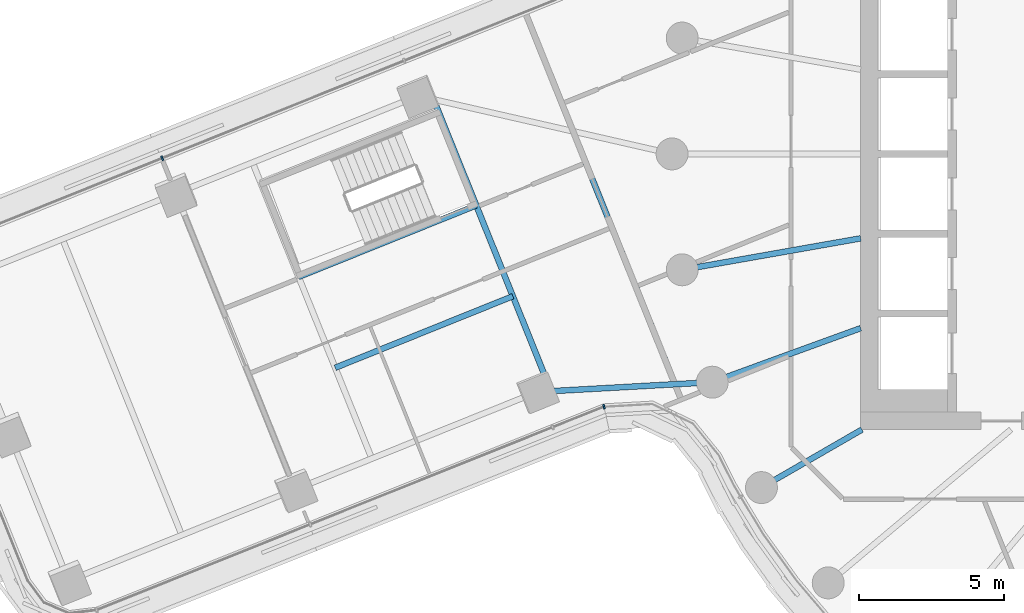
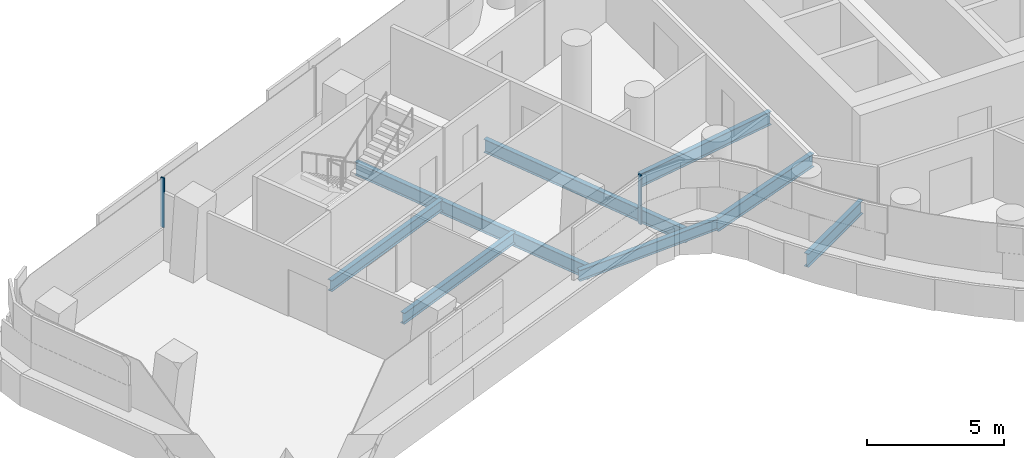
# One storey, part 5 of 32: 8 beams, 2 members, 2 elements without a shape of their own.
"""IFC4 building model written with IfcOpenShell, lengths in metres."""

from ifc_helpers import new_model, si_unit, direction, frame, origin, origin_2d, place, context, subcontext, project, spatial, rectangle, i_section, extrude, material, layer, layer_set, material_profile, profile_set, type_object, element, aggregate, save


model = new_model("IFC4")

# Units and contexts
model_context = context("Model", 3, precision=1e-05, world=origin(), true_north=direction((0.0, 1.0)))
body_context = subcontext(model_context, "Body", "Model", "MODEL_VIEW")
ifc_project = project(units=[si_unit("LENGTHUNIT", "METRE"), si_unit("AREAUNIT", "SQUARE_METRE"), si_unit("VOLUMEUNIT", "CUBIC_METRE"), si_unit("PLANEANGLEUNIT", "RADIAN"), si_unit("MASSUNIT", "GRAM", prefix="KILO")], contexts=[model_context])

# Site, building, storey
site_placement = place(None, origin())
site = spatial("IfcSite", under=ifc_project, at=site_placement, CompositionType="ELEMENT")
building_placement = place(site_placement, origin())
building = spatial("IfcBuilding", under=site, at=building_placement, Name="Tamarind Cross Interchange Tower", CompositionType="ELEMENT")
storey_placement = place(building_placement, frame((0.0, 0.0, 113.5)))
storey = spatial("IfcBuildingStorey", under=building, at=storey_placement, Name="L27", CompositionType="ELEMENT", Elevation=113.5)

# Beams
ifc_material_1 = material(Name="Steel Q355B", Category="steel")
ifc_material_profile_1 = material_profile(ifc_material_1, i_section(OverallWidth=0.198974609375, OverallDepth=0.49609375, WebThickness=0.009033203125, FlangeThickness=0.013916015625, FilletRadius=0.012939453125, at=origin_2d()), Name="HN 496x199x9x14")
ifc_profile_set_1 = profile_set([ifc_material_profile_1], Name="Steel Q355B")
beam_type_1 = type_object("IfcBeamType", Name="Composite beam HN 496x199x9x14 Q355B", PredefinedType="BEAM", material=ifc_profile_set_1)
beam_1_placement = place(storey_placement, frame((-27.643798828125, -8.202880859375, -0.387939453125), z_axis=(0.998447641525, 0.055698358433, 0.0), x_axis=(-0.055698358433, 0.998447641525, 0.0)))
element("IfcBeam", 1, at=beam_1_placement, inside=storey, type_object=beam_type_1, Name="Beam W-linkep", PredefinedType="BEAM", context=body_context, shape_type="SweptSolid", body=[
    extrude(i_section(OverallWidth=0.198974609375, OverallDepth=0.49609375, WebThickness=0.009033203125, FlangeThickness=0.013916015625, FilletRadius=0.012939453125, at=origin_2d()), origin(), (0.0, 0.0, 1.0), 6.0400390625),
])
beam_2_placement = place(storey_placement, frame((-29.74853515625, -1.773681640625, -0.387939453125), z_axis=(-0.927568270021, -0.373653722651, 0.0), x_axis=(0.373653722651, -0.927568270021, 0.0)))
element("IfcBeam", 2, at=beam_2_placement, inside=storey, type_object=beam_type_1, Name="Beam W-tr1", PredefinedType="BEAM", context=body_context, shape_type="SweptSolid", body=[
    extrude(i_section(OverallWidth=0.198974609375, OverallDepth=0.49609375, WebThickness=0.009033203125, FlangeThickness=0.013916015625, FilletRadius=0.012939453125, at=origin_2d()), origin(), (0.0, 0.0, 1.0), 6.599853515625),
])
beam_3_placement = place(storey_placement, frame((-28.4873046875, -4.904296875, -0.387939453125), z_axis=(-0.927573434437, -0.373640902107, 0.0), x_axis=(0.373640902107, -0.927573434437, 0.0)))
element("IfcBeam", 3, at=beam_3_placement, inside=storey, type_object=beam_type_1, Name="Beam W-stripp", PredefinedType="BEAM", context=body_context, shape_type="SweptSolid", body=[
    extrude(i_section(OverallWidth=0.198974609375, OverallDepth=0.49609375, WebThickness=0.009033203125, FlangeThickness=0.013916015625, FilletRadius=0.012939453125, at=origin_2d()), origin(), (0.0, 0.0, 1.0), 6.60009765625),
])
ifc_material_profile_2 = material_profile(ifc_material_1, i_section(OverallWidth=0.198974609375, OverallDepth=0.595947265625, WebThickness=0.010009765625, FlangeThickness=0.014892578125, FilletRadius=0.012939453125, at=origin_2d()), Name="HN 596x199x10x15")
ifc_profile_set_2 = profile_set([ifc_material_profile_2], Name="Steel Q355B")
beam_type_2 = type_object("IfcBeamType", Name="Composite beam HN 596x199x10x15 Q355B", PredefinedType="BEAM", material=ifc_profile_set_2)
beam_4_placement = place(storey_placement, frame((-22.650634765625, -3.993896484375, -0.43798828125), z_axis=(0.984809127561, 0.173640382036, 0.0), x_axis=(-0.173640382036, 0.984809127561, 0.0)))
element("IfcBeam", 4, at=beam_4_placement, inside=storey, type_object=beam_type_2, Name="Beam HH19", PredefinedType="BEAM", context=body_context, shape_type="SweptSolid", body=[
    extrude(i_section(OverallWidth=0.198974609375, OverallDepth=0.595947265625, WebThickness=0.010009765625, FlangeThickness=0.014892578125, FilletRadius=0.012939453125, at=origin_2d()), origin(), (0.0, 0.0, 1.0), 6.24560546875),
])
beam_5_placement = place(storey_placement, frame((-21.613037109375, -7.866455078125, -0.43798828125), z_axis=(0.939701685589, 0.341995236956, 0.0), x_axis=(-0.341995236956, 0.939701685589, 0.0)))
element("IfcBeam", 5, at=beam_5_placement, inside=storey, type_object=beam_type_2, Name="Beam HH20", PredefinedType="BEAM", context=body_context, shape_type="SweptSolid", body=[
    extrude(i_section(OverallWidth=0.198974609375, OverallDepth=0.595947265625, WebThickness=0.010009765625, FlangeThickness=0.014892578125, FilletRadius=0.012939453125, at=origin_2d()), origin(), (0.0, 0.0, 1.0), 5.441162109375),
])
beam_6_placement = place(storey_placement, frame((-19.918701171875, -11.5, -0.43798828125), z_axis=(0.866026010844, 0.49999894854, 0.0), x_axis=(-0.49999894854, 0.866026010844, 0.0)))
element("IfcBeam", 6, at=beam_6_placement, inside=storey, type_object=beam_type_2, Name="Beam HH21", PredefinedType="BEAM", context=body_context, shape_type="SweptSolid", body=[
    extrude(i_section(OverallWidth=0.198974609375, OverallDepth=0.595947265625, WebThickness=0.010009765625, FlangeThickness=0.014892578125, FilletRadius=0.012939453125, at=origin_2d()), origin(), (0.0, 0.0, 1.0), 4.0),
])
ifc_material_profile_3 = material_profile(ifc_material_1, i_section(OverallWidth=0.199951171875, OverallDepth=0.60009765625, WebThickness=0.010986328125, FlangeThickness=0.01708984375, FilletRadius=0.012939453125, at=origin_2d()), Name="HN 600x200x11x17")
ifc_profile_set_3 = profile_set([ifc_material_profile_3], Name="Steel Q355B")
beam_type_3 = type_object("IfcBeamType", Name="Composite beam HN 600x200x11x17 Q355B", PredefinedType="BEAM", material=ifc_profile_set_3)
beam_7_placement = place(storey_placement, frame((-31.219482421875, 1.878173828125, -0.43994140625), z_axis=(0.373649600515, -0.927569930536, 0.0), x_axis=(0.927569930536, 0.373649600515, 0.0)))
element("IfcBeam", 7, at=beam_7_placement, inside=storey, type_object=beam_type_3, Name="Beam W-x298", PredefinedType="BEAM", context=body_context, shape_type="SweptSolid", body=[
    extrude(i_section(OverallWidth=0.199951171875, OverallDepth=0.60009765625, WebThickness=0.010986328125, FlangeThickness=0.01708984375, FilletRadius=0.012939453125, at=origin_2d()), origin(), (0.0, 0.0, 1.0), 10.83984375),
])
beam_8_placement = place(storey_placement, frame((-26.41064453125, 0.779296875, -0.43994140625), z_axis=(0.373655855625, -0.927567410789, 0.0), x_axis=(0.927567410789, 0.373655855625, 0.0)))
element("IfcBeam", 8, at=beam_8_placement, inside=storey, type_object=beam_type_3, Name="Beam W-x258", PredefinedType="BEAM", context=body_context, shape_type="SweptSolid", body=[
    extrude(i_section(OverallWidth=0.199951171875, OverallDepth=0.60009765625, WebThickness=0.010986328125, FlangeThickness=0.01708984375, FilletRadius=0.012939453125, at=origin_2d()), origin(), (0.0, 0.0, 1.0), 9.398193359375),
])

# Curtain wall, member
ifc_material_2 = material(Name="Aluminium 6063-T6", Category="aluminium")
ifc_layer = layer(ifc_material_2, 0.159912109375)
ifc_layer_set = layer_set([ifc_layer], Name="Aluminium 6063-T6")
curtain_wall_type = type_object("IfcCurtainWallType", Name="Office curtain wall, 9.0 m bays", PredefinedType="NOTDEFINED", material=ifc_layer_set)
curtain_wall_1_placement = place(storey_placement, origin())
curtain_wall_1 = element("IfcCurtainWall", 9, at=curtain_wall_1_placement, inside=storey, type_object=curtain_wall_type, Name="CWS-L27-02", PredefinedType="NOTDEFINED")
ifc_material_profile_4 = material_profile(ifc_material_2, rectangle(XDim=0.06005859375, YDim=0.159912109375, at=origin_2d()), Name="Mullion CW1")
ifc_profile_set_4 = profile_set([ifc_material_profile_4], Name="Aluminium 6063-T6")
member_type = type_object("IfcMemberType", Name="Mullion CW1", PredefinedType="MULLION", material=ifc_profile_set_4)
member_1_placement = place(storey_placement, frame((-25.347412109375, -8.712646484375, 1.39990234375), z_axis=(0.0, 0.0, 1.0), x_axis=(0.976079629461, 0.217413332045, 0.0)))
member_1 = element("IfcMember", 10, at=member_1_placement, type_object=member_type, Name="CWM-L27-02-00", PredefinedType="MULLION", context=body_context, shape_type="SweptSolid", body=[
    extrude(rectangle(XDim=0.06005859375, YDim=0.159912109375, at=origin_2d()), origin(), (0.0, 0.0, 1.0), 2.210205078125),
])
aggregate(curtain_wall_1, [member_1])

curtain_wall_2_placement = place(storey_placement, origin())
curtain_wall_2 = element("IfcCurtainWall", 11, at=curtain_wall_2_placement, inside=storey, type_object=curtain_wall_type, Name="CWS-L27-15", PredefinedType="NOTDEFINED")
member_2_placement = place(storey_placement, frame((-40.571044921875, -0.14990234375, 1.39990234375), z_axis=(0.0, 0.0, 1.0), x_axis=(-0.927570416192, -0.373648394893, 0.0)))
member_2 = element("IfcMember", 12, at=member_2_placement, type_object=member_type, Name="CWM-L27-15-02", PredefinedType="MULLION", context=body_context, shape_type="SweptSolid", body=[
    extrude(rectangle(XDim=0.06005859375, YDim=0.159912109375, at=origin_2d()), origin(), (0.0, 0.0, 1.0), 2.210205078125),
])
aggregate(curtain_wall_2, [member_2])

save(model, "model.ifc")
